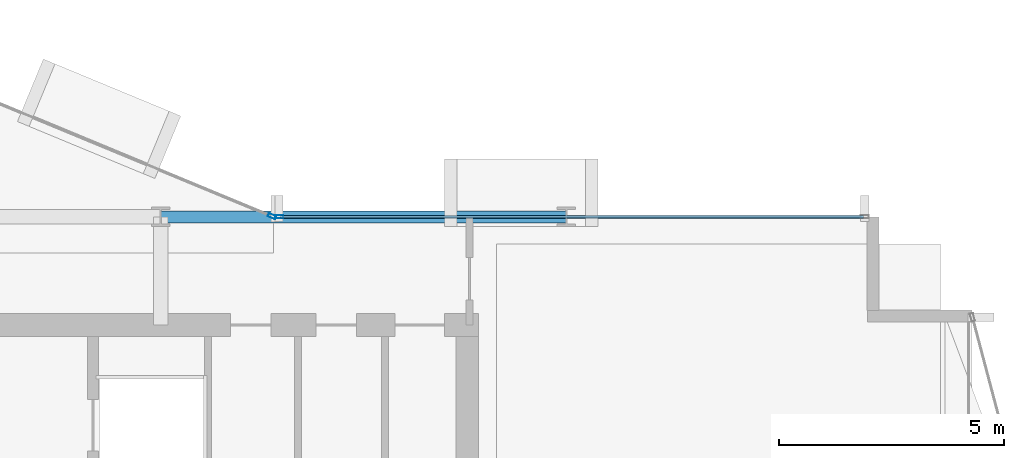
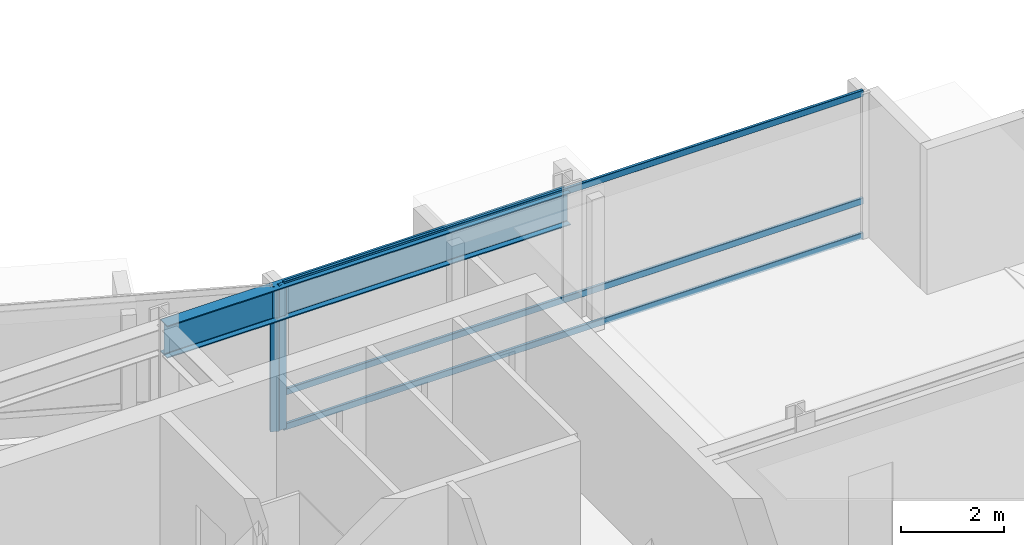
# One storey, part 13 of 28: 5 members, 1 beam, 2 elements without a shape of their own.
"""IFC4 building model written with IfcOpenShell, lengths in metres."""

from ifc_helpers import new_model, si_unit, direction, frame, origin, origin_2d, place, context, subcontext, project, spatial, hollow_rectangle, i_section, extrude, material, layer, layer_set, material_profile, profile_set, type_object, element, aggregate, save


model = new_model("IFC4")

# Units and contexts
model_context = context("Model", 3, precision=1e-05, world=origin(), true_north=direction((0.0, 1.0)))
body_context = subcontext(model_context, "Body", "Model", "MODEL_VIEW")
ifc_project = project(units=[si_unit("LENGTHUNIT", "METRE"), si_unit("AREAUNIT", "SQUARE_METRE"), si_unit("VOLUMEUNIT", "CUBIC_METRE"), si_unit("PLANEANGLEUNIT", "RADIAN"), si_unit("MASSUNIT", "GRAM", prefix="KILO")], contexts=[model_context])

# Site, building, storey
site_placement = place(None, origin())
site = spatial("IfcSite", under=ifc_project, at=site_placement, CompositionType="ELEMENT")
building_placement = place(site_placement, origin())
building = spatial("IfcBuilding", under=site, at=building_placement, Name="Solvaryn Broadcast Tower", CompositionType="ELEMENT")
storey_placement = place(building_placement, frame((0.0, 0.0, 158.10009765625)))
storey = spatial("IfcBuildingStorey", under=building, at=storey_placement, Name="L39", CompositionType="ELEMENT", Elevation=158.10009765625)

# Beam
ifc_material_1 = material(Name="Steel ASTM A992 Grade 50", Category="steel")
ifc_material_profile_1 = material_profile(ifc_material_1, i_section(OverallWidth=0.26708984375, OverallDepth=0.76611328125, WebThickness=0.014892578125, FlangeThickness=0.023681640625, FilletRadius=0.01806640625, at=origin_2d()))
ifc_profile_set_1 = profile_set([ifc_material_profile_1], Name="Steel ASTM A992 Grade 50")
beam_type = type_object("IfcBeamType", Name="BM-SP2-W30X124", PredefinedType="USERDEFINED", material=ifc_profile_set_1)
beam_placement = place(storey_placement, frame((36.0, 27.0, 3.036865234375), z_axis=(1.0, 0.0, 0.0), x_axis=(0.0, 1.0, 0.0)))
element("IfcBeam", 1, at=beam_placement, inside=storey, type_object=beam_type, Name="L39 Spandrel Beam X (36-45 @ Y=27)", ObjectType="SPANDREL", PredefinedType="USERDEFINED", context=body_context, shape_type="SweptSolid", body=[
    extrude(i_section(OverallWidth=0.26708984375, OverallDepth=0.76611328125, WebThickness=0.014892578125, FlangeThickness=0.023681640625, FilletRadius=0.01806640625, at=origin_2d()), origin(), (0.0, 0.0, 1.0), 9.0),
])

# Curtain wall, member
ifc_material_2 = material(Name="Aluminium and Terracotta Unitised Curtain Wall", Category="masonry")
ifc_layer = layer(ifc_material_2, 0.199951171875)
ifc_layer_set = layer_set([ifc_layer], Name="CW-SYS2-LOWMID")
curtain_wall_type = type_object("IfcCurtainWallType", Name="CW-SYS2-LOWMID", PredefinedType="NOTDEFINED", material=ifc_layer_set)
curtain_wall_1_placement = place(storey_placement, origin())
curtain_wall_1 = element("IfcCurtainWall", 2, at=curtain_wall_1_placement, inside=storey, type_object=curtain_wall_type, Name="L39 Curtain Wall CN1", PredefinedType="NOTDEFINED")
ifc_material_3 = material(Name="Anodised Aluminium 6063-T6", Category="aluminium")
ifc_material_profile_2 = material_profile(ifc_material_3, hollow_rectangle(XDim=0.074951171875, YDim=0.179931640625, WallThickness=0.00390625, InnerFilletRadius=0.00390625, OuterFilletRadius=0.008056640625, at=origin_2d()))
ifc_profile_set_2 = profile_set([ifc_material_profile_2], Name="Anodised Aluminium 6063-T6")
member_type_1 = type_object("IfcMemberType", Name="CW-MUL-180", PredefinedType="MULLION", material=ifc_profile_set_2)
member_1_placement = place(storey_placement, frame((38.47216796875, 27.011474609375, 0.0), z_axis=(0.0, 0.0, 1.0), x_axis=(-0.382646127145, -0.923894983957, 0.0)))
member_1 = element("IfcMember", 3, at=member_1_placement, type_object=member_type_1, Name="CWS2 mullion 1", PredefinedType="MULLION", context=body_context, shape_type="SweptSolid", body=[
    extrude(hollow_rectangle(XDim=0.074951171875, YDim=0.179931640625, WallThickness=0.00390625, InnerFilletRadius=0.00390625, OuterFilletRadius=0.008056640625, at=origin_2d()), origin(), (0.0, 0.0, 1.0), 3.419921875),
])
aggregate(curtain_wall_1, [member_1])

# Curtain wall, members
curtain_wall_2_placement = place(storey_placement, origin())
curtain_wall_2 = element("IfcCurtainWall", 4, at=curtain_wall_2_placement, inside=storey, type_object=curtain_wall_type, Name="L39 Curtain Wall IH", PredefinedType="NOTDEFINED")
member_2_placement = place(storey_placement, frame((38.6298828125, 27.0, 0.0), z_axis=(0.0, 0.0, 1.0), x_axis=(0.0, 1.0, 0.0)))
member_2 = element("IfcMember", 5, at=member_2_placement, type_object=member_type_1, Name="CWS2 mullion 1", PredefinedType="MULLION", context=body_context, shape_type="SweptSolid", body=[
    extrude(hollow_rectangle(XDim=0.074951171875, YDim=0.179931640625, WallThickness=0.00390625, InnerFilletRadius=0.00390625, OuterFilletRadius=0.008056640625, at=origin_2d()), origin(), (0.0, 0.0, 1.0), 3.419921875),
])
ifc_material_4 = material(Name="Anodised Aluminium 6063-T6", Category="aluminium")
ifc_material_profile_3 = material_profile(ifc_material_4, hollow_rectangle(XDim=0.06494140625, YDim=0.14990234375, WallThickness=0.00390625, InnerFilletRadius=0.00390625, OuterFilletRadius=0.008056640625, at=origin_2d()))
ifc_profile_set_3 = profile_set([ifc_material_profile_3], Name="Anodised Aluminium 6063-T6")
member_type_2 = type_object("IfcMemberType", Name="CW-TRN-150", PredefinedType="USERDEFINED", material=ifc_profile_set_3)
member_3_placement = place(storey_placement, frame((38.659912109375, 27.0, 0.02978515625), z_axis=(1.0, 0.0, 0.0), x_axis=(0.0, 1.0, 0.0)))
member_3 = element("IfcMember", 6, at=member_3_placement, type_object=member_type_2, Name="CWS2 transom 1.1", ObjectType="TRANSOM", PredefinedType="USERDEFINED", context=body_context, shape_type="SweptSolid", body=[
    extrude(hollow_rectangle(XDim=0.06494140625, YDim=0.14990234375, WallThickness=0.00390625, InnerFilletRadius=0.00390625, OuterFilletRadius=0.008056640625, at=origin_2d()), origin(), (0.0, 0.0, 1.0), 12.93017578125),
])
member_4_placement = place(storey_placement, frame((38.659912109375, 27.0, 0.849853515625), z_axis=(1.0, 0.0, 0.0), x_axis=(0.0, 1.0, 0.0)))
member_4 = element("IfcMember", 7, at=member_4_placement, type_object=member_type_2, Name="CWS2 transom 1.2", ObjectType="TRANSOM", PredefinedType="USERDEFINED", context=body_context, shape_type="SweptSolid", body=[
    extrude(hollow_rectangle(XDim=0.06494140625, YDim=0.14990234375, WallThickness=0.00390625, InnerFilletRadius=0.00390625, OuterFilletRadius=0.008056640625, at=origin_2d()), origin(), (0.0, 0.0, 1.0), 12.93017578125),
])
member_5_placement = place(storey_placement, frame((38.659912109375, 27.0, 3.389892578125), z_axis=(1.0, 0.0, 0.0), x_axis=(0.0, 1.0, 0.0)))
member_5 = element("IfcMember", 8, at=member_5_placement, type_object=member_type_2, Name="CWS2 transom 1.3", ObjectType="TRANSOM", PredefinedType="USERDEFINED", context=body_context, shape_type="SweptSolid", body=[
    extrude(hollow_rectangle(XDim=0.06494140625, YDim=0.14990234375, WallThickness=0.00390625, InnerFilletRadius=0.00390625, OuterFilletRadius=0.008056640625, at=origin_2d()), origin(), (0.0, 0.0, 1.0), 12.93017578125),
])
aggregate(curtain_wall_2, [member_2, member_3, member_4, member_5])

save(model, "model.ifc")
